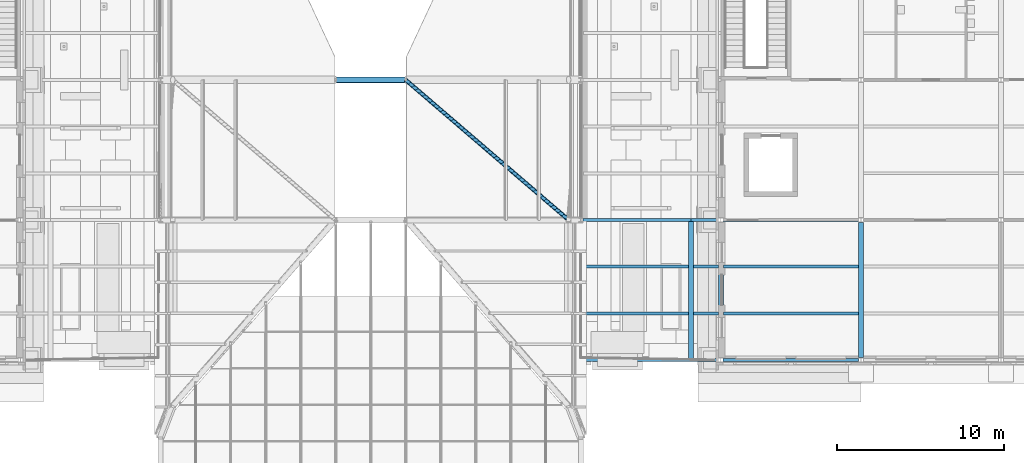
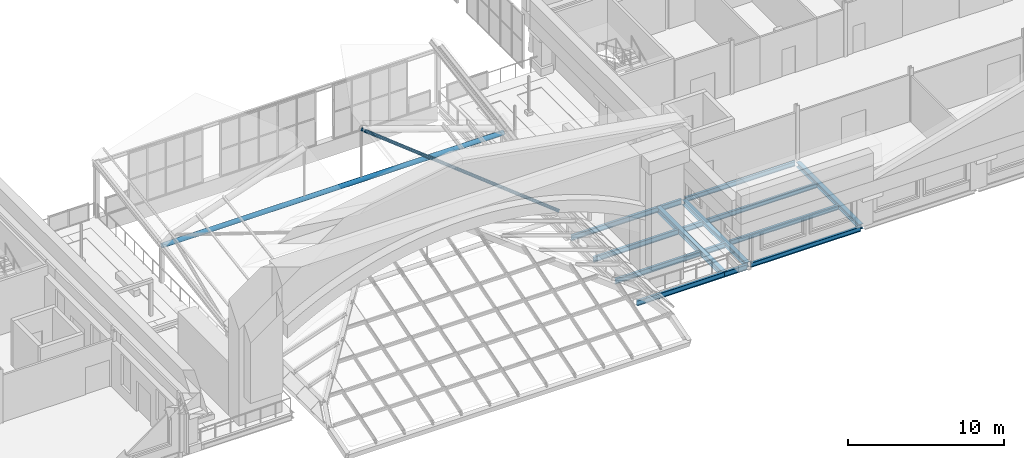
# One storey, part 23 of 76: 15 beams, 2 members.
"""IFC4 building model written with IfcOpenShell, lengths in metres."""

from ifc_helpers import new_model, si_unit, direction, frame, origin, origin_2d, place, context, subcontext, project, spatial, hollow_circle, i_section, extrude, material, material_profile, profile_set, type_object, element, save


model = new_model("IFC4")

# Units and contexts
model_context = context("Model", 3, precision=1e-05, world=origin(), true_north=direction((0.0, 1.0)))
body_context = subcontext(model_context, "Body", "Model", "MODEL_VIEW")
ifc_project = project(units=[si_unit("LENGTHUNIT", "METRE"), si_unit("AREAUNIT", "SQUARE_METRE"), si_unit("VOLUMEUNIT", "CUBIC_METRE"), si_unit("PLANEANGLEUNIT", "RADIAN"), si_unit("MASSUNIT", "GRAM", prefix="KILO")], contexts=[model_context])

# Site, building, storey
site_placement = place(None, origin())
site = spatial("IfcSite", under=ifc_project, at=site_placement, CompositionType="ELEMENT")
building_placement = place(site_placement, origin())
building = spatial("IfcBuilding", under=site, at=building_placement, Name="Sava Quay Ferry Terminal", CompositionType="ELEMENT")
storey_placement = place(building_placement, frame((0.0, 0.0, 10.800048828125)))
storey = spatial("IfcBuildingStorey", under=building, at=storey_placement, Name="L02", CompositionType="ELEMENT", Elevation=10.800048828125)

# Member
ifc_material_1 = material(Name="Steel S355", Category="steel")
ifc_material_profile_1 = material_profile(ifc_material_1, hollow_circle(Radius=0.177734375, WallThickness=0.01611328125, at=origin_2d()), Name="CHS 355.6 x 16.0")
ifc_profile_set_1 = profile_set([ifc_material_profile_1], Name="Steel S355")
member_type_1 = type_object("IfcMemberType", Name="Arch tie CHS 355.6x16", PredefinedType="USERDEFINED", material=ifc_profile_set_1)
member_1_placement = place(storey_placement, frame((50.39990234375, 42.0, 2.81494140625), z_axis=(1.0, 0.0, 0.0), x_axis=(0.0, 1.0, 0.0)))
element("IfcMember", 1, at=member_1_placement, inside=storey, type_object=member_type_1, Name="Arrivals hall arch tie R1", ObjectType="ARCH TIE", PredefinedType="USERDEFINED", context=body_context, shape_type="SweptSolid", body=[
    extrude(hollow_circle(Radius=0.177734375, WallThickness=0.01611328125, at=origin_2d()), origin(), (0.0, 0.0, 1.0), 25.2001953125),
])

# Beams
ifc_material_2 = material(Name="Steel S355", Category="steel")
ifc_material_profile_2 = material_profile(ifc_material_2, i_section(OverallWidth=0.169921875, OverallDepth=0.360107421875, WebThickness=0.008056640625, FlangeThickness=0.0126953125, at=origin_2d()), Name="IPE 360")
ifc_profile_set_2 = profile_set([ifc_material_profile_2], Name="Steel S355")
beam_type_1 = type_object("IfcBeamType", Name="Beam IPE 360", PredefinedType="BEAM", material=ifc_profile_set_2)
for number, where, z_axis, x_axis, name in (
    (2, (84.1298828125, 25.199951171875, -0.31005859375), (1.0, 0.0, 0.0), (0.0, 1.0, 0.0), "Beam L02"),
    (3, (84.1298828125, 33.60009765625, -0.31005859375), (1.0, 0.0, 0.0), (0.0, 1.0, 0.0), "Beam L02"),
):
    element("IfcBeam", number, at=place(storey_placement, frame(where, z_axis=z_axis, x_axis=x_axis)), inside=storey, type_object=beam_type_1, Name=name, PredefinedType="BEAM", context=body_context, shape_type="SweptSolid", body=[
        extrude(i_section(OverallWidth=0.169921875, OverallDepth=0.360107421875, WebThickness=0.008056640625, FlangeThickness=0.0126953125, at=origin_2d()), origin(), (0.0, 0.0, 1.0), 8.1201171875),
    ])
for number, where, z_axis, x_axis, name in (
    (4, (84.14990234375, 28.0, -0.31005859375), (1.0, 0.0, 0.0), (0.0, 1.0, 0.0), "Secondary beam L02"),
    (5, (84.14990234375, 30.800048828125, -0.31005859375), (1.0, 0.0, 0.0), (0.0, 1.0, 0.0), "Secondary beam L02"),
):
    element("IfcBeam", number, at=place(storey_placement, frame(where, z_axis=z_axis, x_axis=x_axis)), inside=storey, type_object=beam_type_1, Name=name, PredefinedType="BEAM", context=body_context, shape_type="SweptSolid", body=[
        extrude(i_section(OverallWidth=0.169921875, OverallDepth=0.360107421875, WebThickness=0.008056640625, FlangeThickness=0.0126953125, at=origin_2d()), origin(), (0.0, 0.0, 1.0), 8.10009765625),
    ])
ifc_material_3 = material(Name="Steel S355", Category="steel")
ifc_material_profile_3 = material_profile(ifc_material_3, i_section(OverallWidth=0.179931640625, OverallDepth=0.39990234375, WebThickness=0.008544921875, FlangeThickness=0.013427734375, at=origin_2d()), Name="IPE 400")
ifc_profile_set_3 = profile_set([ifc_material_profile_3], Name="Steel S355")
beam_type_2 = type_object("IfcBeamType", Name="Beam IPE 400", PredefinedType="BEAM", material=ifc_profile_set_3)
beam_1_placement = place(storey_placement, frame((75.72998046875, 25.199951171875, -0.35009765625), z_axis=(1.0, 0.0, 0.0), x_axis=(0.0, 1.0, 0.0)))
element("IfcBeam", 6, at=beam_1_placement, inside=storey, type_object=beam_type_2, Name="Beam L02", PredefinedType="BEAM", context=body_context, shape_type="SweptSolid", body=[
    extrude(i_section(OverallWidth=0.179931640625, OverallDepth=0.39990234375, WebThickness=0.008544921875, FlangeThickness=0.013427734375, at=origin_2d()), origin(), (0.0, 0.0, 1.0), 6.469970703125),
])
beam_2_placement = place(storey_placement, frame((82.199951171875, 25.199951171875, -0.35009765625), z_axis=(1.0, 0.0, 0.0), x_axis=(0.0, 1.0, 0.0)))
element("IfcBeam", 7, at=beam_2_placement, inside=storey, type_object=beam_type_2, Name="Beam L02", PredefinedType="BEAM", context=body_context, shape_type="SweptSolid", body=[
    extrude(i_section(OverallWidth=0.179931640625, OverallDepth=0.39990234375, WebThickness=0.008544921875, FlangeThickness=0.013427734375, at=origin_2d()), origin(), (0.0, 0.0, 1.0), 1.670166015625),
])
beam_3_placement = place(storey_placement, frame((75.72998046875, 33.60009765625, -0.35009765625), z_axis=(1.0, 0.0, 0.0), x_axis=(0.0, 1.0, 0.0)))
element("IfcBeam", 8, at=beam_3_placement, inside=storey, type_object=beam_type_2, Name="Beam L02", PredefinedType="BEAM", context=body_context, shape_type="SweptSolid", body=[
    extrude(i_section(OverallWidth=0.179931640625, OverallDepth=0.39990234375, WebThickness=0.008544921875, FlangeThickness=0.013427734375, at=origin_2d()), origin(), (0.0, 0.0, 1.0), 6.469970703125),
])
beam_4_placement = place(storey_placement, frame((82.199951171875, 33.60009765625, -0.35009765625), z_axis=(1.0, 0.0, 0.0), x_axis=(0.0, 1.0, 0.0)))
element("IfcBeam", 9, at=beam_4_placement, inside=storey, type_object=beam_type_2, Name="Beam L02", PredefinedType="BEAM", context=body_context, shape_type="SweptSolid", body=[
    extrude(i_section(OverallWidth=0.179931640625, OverallDepth=0.39990234375, WebThickness=0.008544921875, FlangeThickness=0.013427734375, at=origin_2d()), origin(), (0.0, 0.0, 1.0), 1.670166015625),
])
for number, where, z_axis, x_axis, name in (
    (10, (75.75, 28.0, -0.35009765625), (1.0, 0.0, 0.0), (0.0, 1.0, 0.0), "Secondary beam L02"),
    (11, (75.75, 30.800048828125, -0.35009765625), (1.0, 0.0, 0.0), (0.0, 1.0, 0.0), "Secondary beam L02"),
):
    element("IfcBeam", number, at=place(storey_placement, frame(where, z_axis=z_axis, x_axis=x_axis)), inside=storey, type_object=beam_type_2, Name=name, PredefinedType="BEAM", context=body_context, shape_type="SweptSolid", body=[
        extrude(i_section(OverallWidth=0.179931640625, OverallDepth=0.39990234375, WebThickness=0.008544921875, FlangeThickness=0.013427734375, at=origin_2d()), origin(), (0.0, 0.0, 1.0), 6.300048828125),
    ])
for number, where, z_axis, x_axis, name in (
    (12, (82.35009765625, 28.0, -0.35009765625), (1.0, 0.0, 0.0), (0.0, 1.0, 0.0), "Secondary beam L02"),
    (13, (82.35009765625, 30.800048828125, -0.35009765625), (1.0, 0.0, 0.0), (0.0, 1.0, 0.0), "Secondary beam L02"),
):
    element("IfcBeam", number, at=place(storey_placement, frame(where, z_axis=z_axis, x_axis=x_axis)), inside=storey, type_object=beam_type_2, Name=name, PredefinedType="BEAM", context=body_context, shape_type="SweptSolid", body=[
        extrude(i_section(OverallWidth=0.179931640625, OverallDepth=0.39990234375, WebThickness=0.008544921875, FlangeThickness=0.013427734375, at=origin_2d()), origin(), (0.0, 0.0, 1.0), 1.5),
    ])
ifc_material_4 = material(Name="Steel S355", Category="steel")
ifc_material_profile_4 = material_profile(ifc_material_4, i_section(OverallWidth=0.300048828125, OverallDepth=0.389892578125, WebThickness=0.010986328125, FlangeThickness=0.01904296875, at=origin_2d()), Name="HE 400 A")
ifc_profile_set_4 = profile_set([ifc_material_profile_4], Name="Steel S355")
beam_type_3 = type_object("IfcBeamType", Name="Girder HE 400 A", PredefinedType="BEAM", material=ifc_profile_set_4)
beam_5_placement = place(storey_placement, frame((84.0, 25.330078125, -0.344970703125), z_axis=(0.0, 1.0, 0.0), x_axis=(-1.0, 0.0, 0.0)))
element("IfcBeam", 14, at=beam_5_placement, inside=storey, type_object=beam_type_3, Name="Girder L02", PredefinedType="BEAM", context=body_context, shape_type="SweptSolid", body=[
    extrude(i_section(OverallWidth=0.300048828125, OverallDepth=0.389892578125, WebThickness=0.010986328125, FlangeThickness=0.01904296875, at=origin_2d()), origin(), (0.0, 0.0, 1.0), 8.139892578125),
])
beam_6_placement = place(storey_placement, frame((92.39990234375, 25.35009765625, -0.324951171875), z_axis=(0.0, 1.0, 0.0), x_axis=(-1.0, 0.0, 0.0)))
element("IfcBeam", 15, at=beam_6_placement, inside=storey, type_object=beam_type_3, Name="Girder L02", PredefinedType="BEAM", context=body_context, shape_type="SweptSolid", body=[
    extrude(i_section(OverallWidth=0.300048828125, OverallDepth=0.389892578125, WebThickness=0.010986328125, FlangeThickness=0.01904296875, at=origin_2d()), origin(), (0.0, 0.0, 1.0), 8.099853515625),
])
ifc_material_5 = material(Name="Steel S355", Category="steel")
ifc_material_profile_5 = material_profile(ifc_material_5, i_section(OverallWidth=0.300048828125, OverallDepth=0.449951171875, WebThickness=0.013916015625, FlangeThickness=0.02587890625, at=origin_2d()), Name="HE 450 B")
ifc_profile_set_5 = profile_set([ifc_material_profile_5], Name="Steel S355")
beam_type_4 = type_object("IfcBeamType", Name="Girder HE 450 B", PredefinedType="BEAM", material=ifc_profile_set_5)
beam_7_placement = place(storey_placement, frame((82.199951171875, 25.199951171875, -0.375), z_axis=(0.0, 1.0, 0.0), x_axis=(-1.0, 0.0, 0.0)))
element("IfcBeam", 16, at=beam_7_placement, inside=storey, type_object=beam_type_4, Name="Girder L02", PredefinedType="BEAM", context=body_context, shape_type="SweptSolid", body=[
    extrude(i_section(OverallWidth=0.300048828125, OverallDepth=0.449951171875, WebThickness=0.013916015625, FlangeThickness=0.02587890625, at=origin_2d()), origin(), (0.0, 0.0, 1.0), 8.400146484375),
])

# Member
ifc_material_6 = material(Name="Steel S355", Category="steel")
ifc_material_profile_6 = material_profile(ifc_material_6, hollow_circle(Radius=0.122314453125, WallThickness=0.008056640625, at=origin_2d()), Name="CHS 244.5 x 8.0")
ifc_profile_set_6 = profile_set([ifc_material_profile_6], Name="Steel S355")
member_type_2 = type_object("IfcMemberType", Name="Roof brace CHS 244.5x8", PredefinedType="BRACE", material=ifc_profile_set_6)
member_2_placement = place(storey_placement, frame((74.8701171875, 33.60009765625, 2.036376953125), z_axis=(-0.712129719191, 0.612262859675, 0.343519218833), x_axis=(-0.651936003352, -0.758273992389, 0.0)))
element("IfcMember", 17, at=member_2_placement, inside=storey, type_object=member_type_2, Name="Arrivals hall roof brace bay 1 panel 4", PredefinedType="BRACE", context=body_context, shape_type="SweptSolid", body=[
    extrude(hollow_circle(Radius=0.122314453125, WallThickness=0.008056640625, at=origin_2d()), origin(), (0.0, 0.0, 1.0), 13.719482421875),
])

save(model, "model.ifc")
